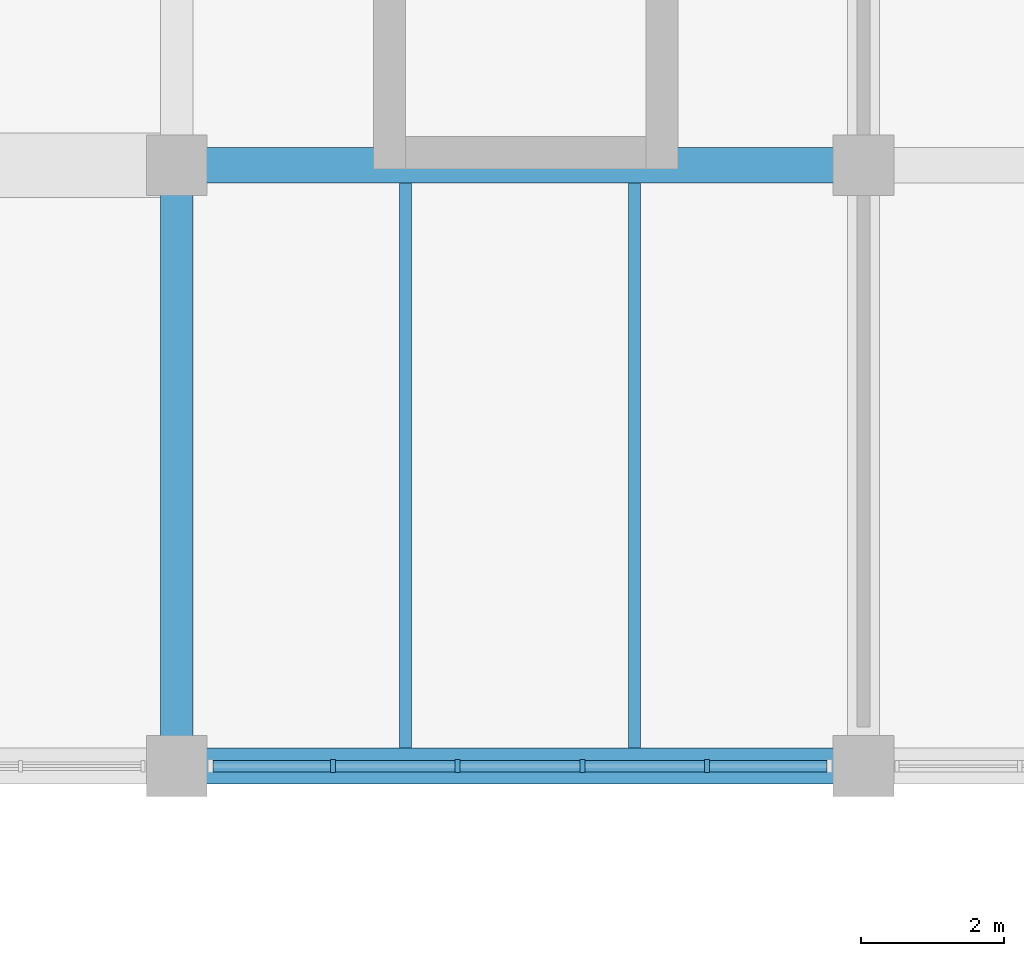
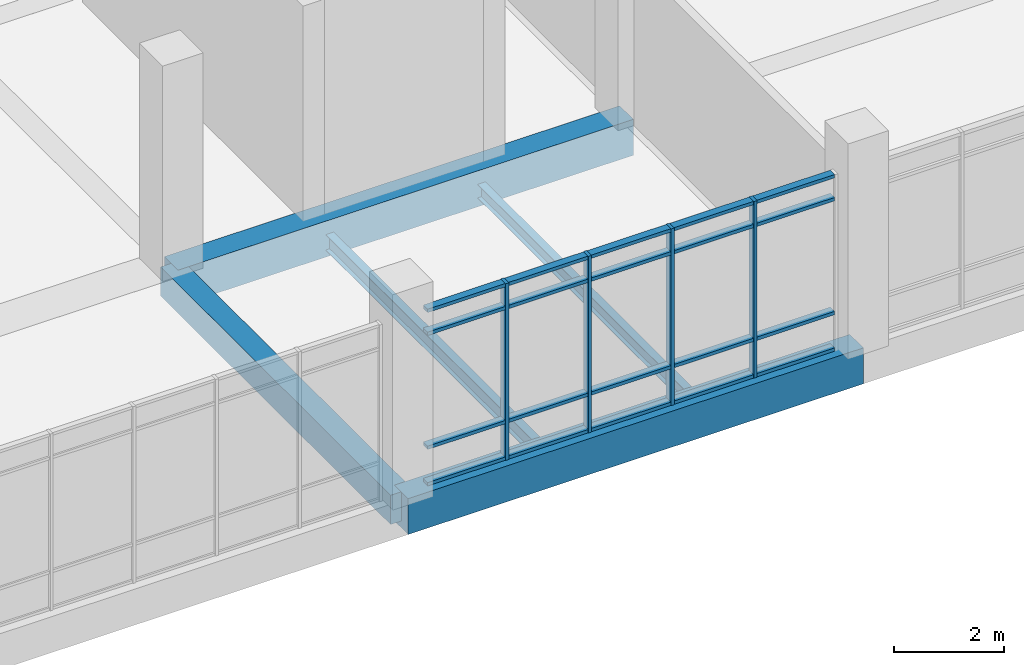
# One storey, part 34 of 152: 24 members, 5 beams, 1 element without a shape of its own.
"""IFC4 building model written with IfcOpenShell, lengths in metres."""

from ifc_helpers import new_model, si_unit, direction, frame, origin, origin_2d, place, context, subcontext, project, spatial, rectangle, i_section, extrude, material, material_profile, profile_set, type_object, element, aggregate, save


model = new_model("IFC4")

# Units and contexts
model_context = context("Model", 3, precision=1e-05, world=origin(), true_north=direction((0.0, 1.0)))
body_context = subcontext(model_context, "Body", "Model", "MODEL_VIEW")
ifc_project = project(units=[si_unit("LENGTHUNIT", "METRE"), si_unit("AREAUNIT", "SQUARE_METRE"), si_unit("VOLUMEUNIT", "CUBIC_METRE"), si_unit("PLANEANGLEUNIT", "RADIAN"), si_unit("MASSUNIT", "GRAM", prefix="KILO")], contexts=[model_context])

# Site, building, storey
site_placement = place(None, origin())
site = spatial("IfcSite", under=ifc_project, at=site_placement, CompositionType="ELEMENT")
building_placement = place(site_placement, origin())
building = spatial("IfcBuilding", under=site, at=building_placement, Name="Oolite Switchyard Hospital", CompositionType="ELEMENT")
storey_placement = place(building_placement, frame((0.0, 0.0, 5.10009765625)))
storey = spatial("IfcBuildingStorey", under=building, at=storey_placement, Name="L01", CompositionType="ELEMENT", Elevation=5.10009765625)

# Beams
ifc_material_1 = material(Name="Concrete C40/50", Category="concrete")
ifc_material_profile_1 = material_profile(ifc_material_1, rectangle(XDim=0.449951171875, YDim=0.64990234375, at=origin_2d()), Name="RCB450X650")
ifc_profile_set_1 = profile_set([ifc_material_profile_1], Name="Concrete C40/50")
beam_type_1 = type_object("IfcBeamType", Name="BM-RC450X650", PredefinedType="BEAM", material=ifc_profile_set_1)
beam_1_placement = place(storey_placement, frame((86.39990234375, 84.0, -0.3251953125), z_axis=(0.0, 1.0, 0.0), x_axis=(-1.0, 0.0, 0.0)))
element("IfcBeam", 1, at=beam_1_placement, inside=storey, type_object=beam_type_1, Name="L01 Y-Girder 414", PredefinedType="BEAM", context=body_context, shape_type="SweptSolid", body=[
    extrude(rectangle(XDim=0.449951171875, YDim=0.64990234375, at=origin_2d()), origin(), (0.0, 0.0, 1.0), 8.39990234375),
])
ifc_material_profile_2 = material_profile(ifc_material_1, rectangle(XDim=0.5, YDim=0.800048828125, at=origin_2d()), Name="RCB500X800")
ifc_profile_set_2 = profile_set([ifc_material_profile_2], Name="Concrete C40/50")
beam_type_2 = type_object("IfcBeamType", Name="BM-RC500X800", PredefinedType="BEAM", material=ifc_profile_set_2)
for number, where, z_axis, x_axis, name in (
    (2, (86.39990234375, 84.0, -0.400146484375), (1.0, 0.0, 0.0), (0.0, 1.0, 0.0), "L01 X-Girder 172"),
    (3, (86.39990234375, 92.39990234375, -0.400146484375), (1.0, 0.0, 0.0), (0.0, 1.0, 0.0), "L01 X-Girder 188"),
):
    element("IfcBeam", number, at=place(storey_placement, frame(where, z_axis=z_axis, x_axis=x_axis)), inside=storey, type_object=beam_type_2, Name=name, PredefinedType="BEAM", context=body_context, shape_type="SweptSolid", body=[
        extrude(rectangle(XDim=0.5, YDim=0.800048828125, at=origin_2d()), origin(), (0.0, 0.0, 1.0), 9.60009765625),
    ])
ifc_material_2 = material(Name="Steel ASTM A992 Grade 50", Category="steel")
ifc_material_profile_3 = material_profile(ifc_material_2, i_section(OverallWidth=0.1650390625, OverallDepth=0.31005859375, WebThickness=0.006103515625, FlangeThickness=0.010009765625, at=origin_2d()), Name="W12X26")
ifc_profile_set_3 = profile_set([ifc_material_profile_3], Name="Steel ASTM A992 Grade 50")
beam_type_3 = type_object("IfcBeamType", Name="BM-W12X26", PredefinedType="JOIST", material=ifc_profile_set_3)
beam_2_placement = place(storey_placement, frame((92.800048828125, 84.25, -0.455078125), z_axis=(0.0, 1.0, 0.0), x_axis=(-1.0, 0.0, 0.0)))
element("IfcBeam", 4, at=beam_2_placement, inside=storey, type_object=beam_type_3, Name="L01 Secondary Steel Joist 771", PredefinedType="JOIST", context=body_context, shape_type="SweptSolid", body=[
    extrude(i_section(OverallWidth=0.1650390625, OverallDepth=0.31005859375, WebThickness=0.006103515625, FlangeThickness=0.010009765625, at=origin_2d()), origin(), (0.0, 0.0, 1.0), 7.89990234375),
])
ifc_material_profile_4 = material_profile(ifc_material_2, i_section(OverallWidth=0.1708984375, OverallDepth=0.35107421875, WebThickness=0.007080078125, FlangeThickness=0.010009765625, at=origin_2d()), Name="W14X30")
ifc_profile_set_4 = profile_set([ifc_material_profile_4], Name="Steel ASTM A992 Grade 50")
beam_type_4 = type_object("IfcBeamType", Name="BM-W14X30", PredefinedType="JOIST", material=ifc_profile_set_4)
beam_3_placement = place(storey_placement, frame((89.60009765625, 84.25, -0.47607421875), z_axis=(0.0, 1.0, 0.0), x_axis=(-1.0, 0.0, 0.0)))
element("IfcBeam", 5, at=beam_3_placement, inside=storey, type_object=beam_type_4, Name="L01 Secondary Steel Joist 770", PredefinedType="JOIST", context=body_context, shape_type="SweptSolid", body=[
    extrude(i_section(OverallWidth=0.1708984375, OverallDepth=0.35107421875, WebThickness=0.007080078125, FlangeThickness=0.010009765625, at=origin_2d()), origin(), (0.0, 0.0, 1.0), 7.89990234375),
])

# Curtain wall, members
ifc_material_3 = material(Name="Thermally broken aluminum frame with laminated impact glazing", Category="aluminium")
curtain_wall_type = type_object("IfcCurtainWallType", Name="CW-UNIT-96X48", PredefinedType="USERDEFINED", material=ifc_material_3)
curtain_wall_placement = place(storey_placement, origin())
curtain_wall = element("IfcCurtainWall", 6, at=curtain_wall_placement, inside=storey, type_object=curtain_wall_type, Name="L01 Unitised Curtain Wall 141", ObjectType="UNITISED", PredefinedType="USERDEFINED")
ifc_material_4 = material(Name="Aluminium 6063-T6", Category="aluminium")
ifc_material_profile_5 = material_profile(ifc_material_4, rectangle(XDim=0.179931640625, YDim=0.070068359375, at=origin_2d()), Name="CWM70X180")
ifc_profile_set_5 = profile_set([ifc_material_profile_5], Name="Aluminium 6063-T6")
member_type_1 = type_object("IfcMemberType", Name="CW-MUL-220", PredefinedType="MULLION", material=ifc_profile_set_5)
member_1_placement = place(storey_placement, frame((93.81591796875, 84.0, 0.0), z_axis=(0.0, 0.0, 1.0), x_axis=(0.0, -1.0, 0.0)))
member_1 = element("IfcMember", 7, at=member_1_placement, type_object=member_type_1, Name="CW-02 mullion 2", PredefinedType="MULLION", context=body_context, shape_type="SweptSolid", body=[
    extrude(rectangle(XDim=0.179931640625, YDim=0.070068359375, at=origin_2d()), origin(), (0.0, 0.0, 1.0), 3.93994140625),
])
member_2_placement = place(storey_placement, frame((92.072021484375, 84.0, 0.0), z_axis=(0.0, 0.0, 1.0), x_axis=(0.0, -1.0, 0.0)))
member_2 = element("IfcMember", 8, at=member_2_placement, type_object=member_type_1, Name="CW-02 mullion 3", PredefinedType="MULLION", context=body_context, shape_type="SweptSolid", body=[
    extrude(rectangle(XDim=0.179931640625, YDim=0.070068359375, at=origin_2d()), origin(), (0.0, 0.0, 1.0), 3.93994140625),
])
member_3_placement = place(storey_placement, frame((90.327880859375, 84.0, 0.0), z_axis=(0.0, 0.0, 1.0), x_axis=(0.0, -1.0, 0.0)))
member_3 = element("IfcMember", 9, at=member_3_placement, type_object=member_type_1, Name="CW-02 mullion 4", PredefinedType="MULLION", context=body_context, shape_type="SweptSolid", body=[
    extrude(rectangle(XDim=0.179931640625, YDim=0.070068359375, at=origin_2d()), origin(), (0.0, 0.0, 1.0), 3.93994140625),
])
member_4_placement = place(storey_placement, frame((88.583984375, 84.0, 0.0), z_axis=(0.0, 0.0, 1.0), x_axis=(0.0, -1.0, 0.0)))
member_4 = element("IfcMember", 10, at=member_4_placement, type_object=member_type_1, Name="CW-02 mullion 5", PredefinedType="MULLION", context=body_context, shape_type="SweptSolid", body=[
    extrude(rectangle(XDim=0.179931640625, YDim=0.070068359375, at=origin_2d()), origin(), (0.0, 0.0, 1.0), 3.93994140625),
])
ifc_material_profile_6 = material_profile(ifc_material_4, rectangle(XDim=0.159912109375, YDim=0.074951171875, at=origin_2d()), Name="CWT75X160")
ifc_profile_set_6 = profile_set([ifc_material_profile_6], Name="Aluminium 6063-T6")
member_type_2 = type_object("IfcMemberType", Name="CW-TRN-180", PredefinedType="USERDEFINED", material=ifc_profile_set_6)
member_5_placement = place(storey_placement, frame((95.489990234375, 84.0, 0.037353515625), z_axis=(-1.0, 0.0, 0.0), x_axis=(0.0, -1.0, 0.0)))
member_5 = element("IfcMember", 11, at=member_5_placement, type_object=member_type_2, Name="CW-02 transom 1.1", ObjectType="TRANSOM", PredefinedType="USERDEFINED", context=body_context, shape_type="SweptSolid", body=[
    extrude(rectangle(XDim=0.159912109375, YDim=0.074951171875, at=origin_2d()), origin(), (0.0, 0.0, 1.0), 1.638916015625),
])
member_6_placement = place(storey_placement, frame((95.489990234375, 84.0, 0.849853515625), z_axis=(-1.0, 0.0, 0.0), x_axis=(0.0, -1.0, 0.0)))
member_6 = element("IfcMember", 12, at=member_6_placement, type_object=member_type_2, Name="CW-02 transom 1.2", ObjectType="TRANSOM", PredefinedType="USERDEFINED", context=body_context, shape_type="SweptSolid", body=[
    extrude(rectangle(XDim=0.159912109375, YDim=0.074951171875, at=origin_2d()), origin(), (0.0, 0.0, 1.0), 1.638916015625),
])
member_7_placement = place(storey_placement, frame((95.489990234375, 84.0, 3.389892578125), z_axis=(-1.0, 0.0, 0.0), x_axis=(0.0, -1.0, 0.0)))
member_7 = element("IfcMember", 13, at=member_7_placement, type_object=member_type_2, Name="CW-02 transom 1.3", ObjectType="TRANSOM", PredefinedType="USERDEFINED", context=body_context, shape_type="SweptSolid", body=[
    extrude(rectangle(XDim=0.159912109375, YDim=0.074951171875, at=origin_2d()), origin(), (0.0, 0.0, 1.0), 1.638916015625),
])
member_8_placement = place(storey_placement, frame((95.489990234375, 84.0, 3.90234375), z_axis=(-1.0, 0.0, 0.0), x_axis=(0.0, -1.0, 0.0)))
member_8 = element("IfcMember", 14, at=member_8_placement, type_object=member_type_2, Name="CW-02 transom 1.4", ObjectType="TRANSOM", PredefinedType="USERDEFINED", context=body_context, shape_type="SweptSolid", body=[
    extrude(rectangle(XDim=0.159912109375, YDim=0.074951171875, at=origin_2d()), origin(), (0.0, 0.0, 1.0), 1.638916015625),
])
member_9_placement = place(storey_placement, frame((93.781005859375, 84.0, 0.037353515625), z_axis=(-1.0, 0.0, 0.0), x_axis=(0.0, -1.0, 0.0)))
member_9 = element("IfcMember", 15, at=member_9_placement, type_object=member_type_2, Name="CW-02 transom 2.1", ObjectType="TRANSOM", PredefinedType="USERDEFINED", context=body_context, shape_type="SweptSolid", body=[
    extrude(rectangle(XDim=0.159912109375, YDim=0.074951171875, at=origin_2d()), origin(), (0.0, 0.0, 1.0), 1.674072265625),
])
member_10_placement = place(storey_placement, frame((93.781005859375, 84.0, 0.849853515625), z_axis=(-1.0, 0.0, 0.0), x_axis=(0.0, -1.0, 0.0)))
member_10 = element("IfcMember", 16, at=member_10_placement, type_object=member_type_2, Name="CW-02 transom 2.2", ObjectType="TRANSOM", PredefinedType="USERDEFINED", context=body_context, shape_type="SweptSolid", body=[
    extrude(rectangle(XDim=0.159912109375, YDim=0.074951171875, at=origin_2d()), origin(), (0.0, 0.0, 1.0), 1.674072265625),
])
member_11_placement = place(storey_placement, frame((93.781005859375, 84.0, 3.389892578125), z_axis=(-1.0, 0.0, 0.0), x_axis=(0.0, -1.0, 0.0)))
member_11 = element("IfcMember", 17, at=member_11_placement, type_object=member_type_2, Name="CW-02 transom 2.3", ObjectType="TRANSOM", PredefinedType="USERDEFINED", context=body_context, shape_type="SweptSolid", body=[
    extrude(rectangle(XDim=0.159912109375, YDim=0.074951171875, at=origin_2d()), origin(), (0.0, 0.0, 1.0), 1.674072265625),
])
member_12_placement = place(storey_placement, frame((93.781005859375, 84.0, 3.90234375), z_axis=(-1.0, 0.0, 0.0), x_axis=(0.0, -1.0, 0.0)))
member_12 = element("IfcMember", 18, at=member_12_placement, type_object=member_type_2, Name="CW-02 transom 2.4", ObjectType="TRANSOM", PredefinedType="USERDEFINED", context=body_context, shape_type="SweptSolid", body=[
    extrude(rectangle(XDim=0.159912109375, YDim=0.074951171875, at=origin_2d()), origin(), (0.0, 0.0, 1.0), 1.674072265625),
])
member_13_placement = place(storey_placement, frame((92.037109375, 84.0, 0.037353515625), z_axis=(-1.0, 0.0, 0.0), x_axis=(0.0, -1.0, 0.0)))
member_13 = element("IfcMember", 19, at=member_13_placement, type_object=member_type_2, Name="CW-02 transom 3.1", ObjectType="TRANSOM", PredefinedType="USERDEFINED", context=body_context, shape_type="SweptSolid", body=[
    extrude(rectangle(XDim=0.159912109375, YDim=0.074951171875, at=origin_2d()), origin(), (0.0, 0.0, 1.0), 1.674072265625),
])
member_14_placement = place(storey_placement, frame((92.037109375, 84.0, 0.849853515625), z_axis=(-1.0, 0.0, 0.0), x_axis=(0.0, -1.0, 0.0)))
member_14 = element("IfcMember", 20, at=member_14_placement, type_object=member_type_2, Name="CW-02 transom 3.2", ObjectType="TRANSOM", PredefinedType="USERDEFINED", context=body_context, shape_type="SweptSolid", body=[
    extrude(rectangle(XDim=0.159912109375, YDim=0.074951171875, at=origin_2d()), origin(), (0.0, 0.0, 1.0), 1.674072265625),
])
member_15_placement = place(storey_placement, frame((92.037109375, 84.0, 3.389892578125), z_axis=(-1.0, 0.0, 0.0), x_axis=(0.0, -1.0, 0.0)))
member_15 = element("IfcMember", 21, at=member_15_placement, type_object=member_type_2, Name="CW-02 transom 3.3", ObjectType="TRANSOM", PredefinedType="USERDEFINED", context=body_context, shape_type="SweptSolid", body=[
    extrude(rectangle(XDim=0.159912109375, YDim=0.074951171875, at=origin_2d()), origin(), (0.0, 0.0, 1.0), 1.674072265625),
])
member_16_placement = place(storey_placement, frame((92.037109375, 84.0, 3.90234375), z_axis=(-1.0, 0.0, 0.0), x_axis=(0.0, -1.0, 0.0)))
member_16 = element("IfcMember", 22, at=member_16_placement, type_object=member_type_2, Name="CW-02 transom 3.4", ObjectType="TRANSOM", PredefinedType="USERDEFINED", context=body_context, shape_type="SweptSolid", body=[
    extrude(rectangle(XDim=0.159912109375, YDim=0.074951171875, at=origin_2d()), origin(), (0.0, 0.0, 1.0), 1.674072265625),
])
member_17_placement = place(storey_placement, frame((90.29296875, 84.0, 0.037353515625), z_axis=(-1.0, 0.0, 0.0), x_axis=(0.0, -1.0, 0.0)))
member_17 = element("IfcMember", 23, at=member_17_placement, type_object=member_type_2, Name="CW-02 transom 4.1", ObjectType="TRANSOM", PredefinedType="USERDEFINED", context=body_context, shape_type="SweptSolid", body=[
    extrude(rectangle(XDim=0.159912109375, YDim=0.074951171875, at=origin_2d()), origin(), (0.0, 0.0, 1.0), 1.674072265625),
])
member_18_placement = place(storey_placement, frame((90.29296875, 84.0, 0.849853515625), z_axis=(-1.0, 0.0, 0.0), x_axis=(0.0, -1.0, 0.0)))
member_18 = element("IfcMember", 24, at=member_18_placement, type_object=member_type_2, Name="CW-02 transom 4.2", ObjectType="TRANSOM", PredefinedType="USERDEFINED", context=body_context, shape_type="SweptSolid", body=[
    extrude(rectangle(XDim=0.159912109375, YDim=0.074951171875, at=origin_2d()), origin(), (0.0, 0.0, 1.0), 1.674072265625),
])
member_19_placement = place(storey_placement, frame((90.29296875, 84.0, 3.389892578125), z_axis=(-1.0, 0.0, 0.0), x_axis=(0.0, -1.0, 0.0)))
member_19 = element("IfcMember", 25, at=member_19_placement, type_object=member_type_2, Name="CW-02 transom 4.3", ObjectType="TRANSOM", PredefinedType="USERDEFINED", context=body_context, shape_type="SweptSolid", body=[
    extrude(rectangle(XDim=0.159912109375, YDim=0.074951171875, at=origin_2d()), origin(), (0.0, 0.0, 1.0), 1.674072265625),
])
member_20_placement = place(storey_placement, frame((90.29296875, 84.0, 3.90234375), z_axis=(-1.0, 0.0, 0.0), x_axis=(0.0, -1.0, 0.0)))
member_20 = element("IfcMember", 26, at=member_20_placement, type_object=member_type_2, Name="CW-02 transom 4.4", ObjectType="TRANSOM", PredefinedType="USERDEFINED", context=body_context, shape_type="SweptSolid", body=[
    extrude(rectangle(XDim=0.159912109375, YDim=0.074951171875, at=origin_2d()), origin(), (0.0, 0.0, 1.0), 1.674072265625),
])
member_21_placement = place(storey_placement, frame((88.549072265625, 84.0, 0.037353515625), z_axis=(-1.0, 0.0, 0.0), x_axis=(0.0, -1.0, 0.0)))
member_21 = element("IfcMember", 27, at=member_21_placement, type_object=member_type_2, Name="CW-02 transom 5.1", ObjectType="TRANSOM", PredefinedType="USERDEFINED", context=body_context, shape_type="SweptSolid", body=[
    extrude(rectangle(XDim=0.159912109375, YDim=0.074951171875, at=origin_2d()), origin(), (0.0, 0.0, 1.0), 1.63916015625),
])
member_22_placement = place(storey_placement, frame((88.549072265625, 84.0, 0.849853515625), z_axis=(-1.0, 0.0, 0.0), x_axis=(0.0, -1.0, 0.0)))
member_22 = element("IfcMember", 28, at=member_22_placement, type_object=member_type_2, Name="CW-02 transom 5.2", ObjectType="TRANSOM", PredefinedType="USERDEFINED", context=body_context, shape_type="SweptSolid", body=[
    extrude(rectangle(XDim=0.159912109375, YDim=0.074951171875, at=origin_2d()), origin(), (0.0, 0.0, 1.0), 1.63916015625),
])
member_23_placement = place(storey_placement, frame((88.549072265625, 84.0, 3.389892578125), z_axis=(-1.0, 0.0, 0.0), x_axis=(0.0, -1.0, 0.0)))
member_23 = element("IfcMember", 29, at=member_23_placement, type_object=member_type_2, Name="CW-02 transom 5.3", ObjectType="TRANSOM", PredefinedType="USERDEFINED", context=body_context, shape_type="SweptSolid", body=[
    extrude(rectangle(XDim=0.159912109375, YDim=0.074951171875, at=origin_2d()), origin(), (0.0, 0.0, 1.0), 1.63916015625),
])
member_24_placement = place(storey_placement, frame((88.549072265625, 84.0, 3.90234375), z_axis=(-1.0, 0.0, 0.0), x_axis=(0.0, -1.0, 0.0)))
member_24 = element("IfcMember", 30, at=member_24_placement, type_object=member_type_2, Name="CW-02 transom 5.4", ObjectType="TRANSOM", PredefinedType="USERDEFINED", context=body_context, shape_type="SweptSolid", body=[
    extrude(rectangle(XDim=0.159912109375, YDim=0.074951171875, at=origin_2d()), origin(), (0.0, 0.0, 1.0), 1.63916015625),
])
aggregate(curtain_wall, [member_1, member_2, member_3, member_4, member_5, member_6, member_7, member_8, member_9, member_10, member_11, member_12, member_13, member_14, member_15, member_16, member_17, member_18, member_19, member_20, member_21, member_22, member_23, member_24])

save(model, "model.ifc")
